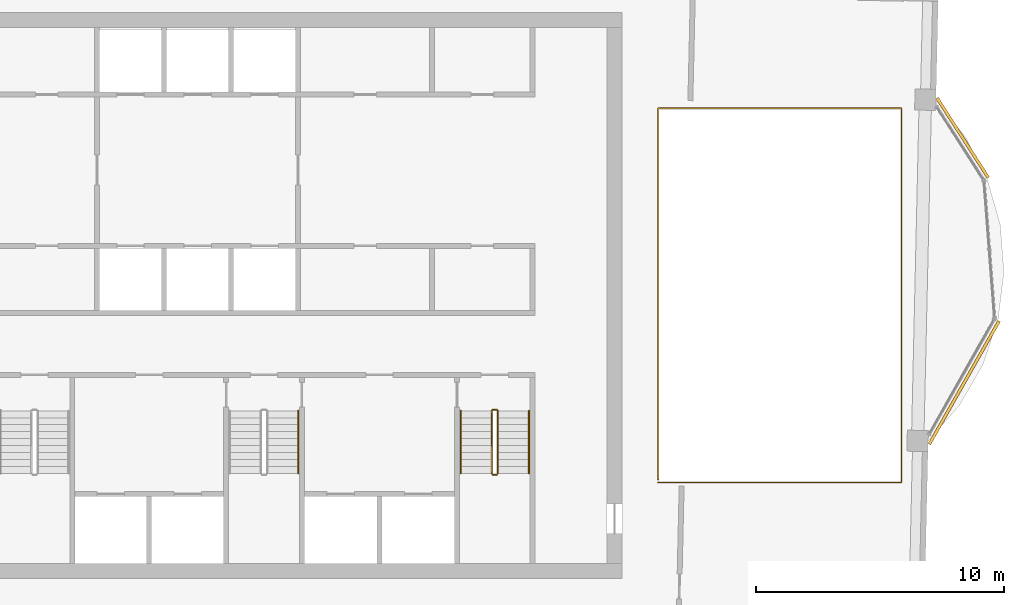
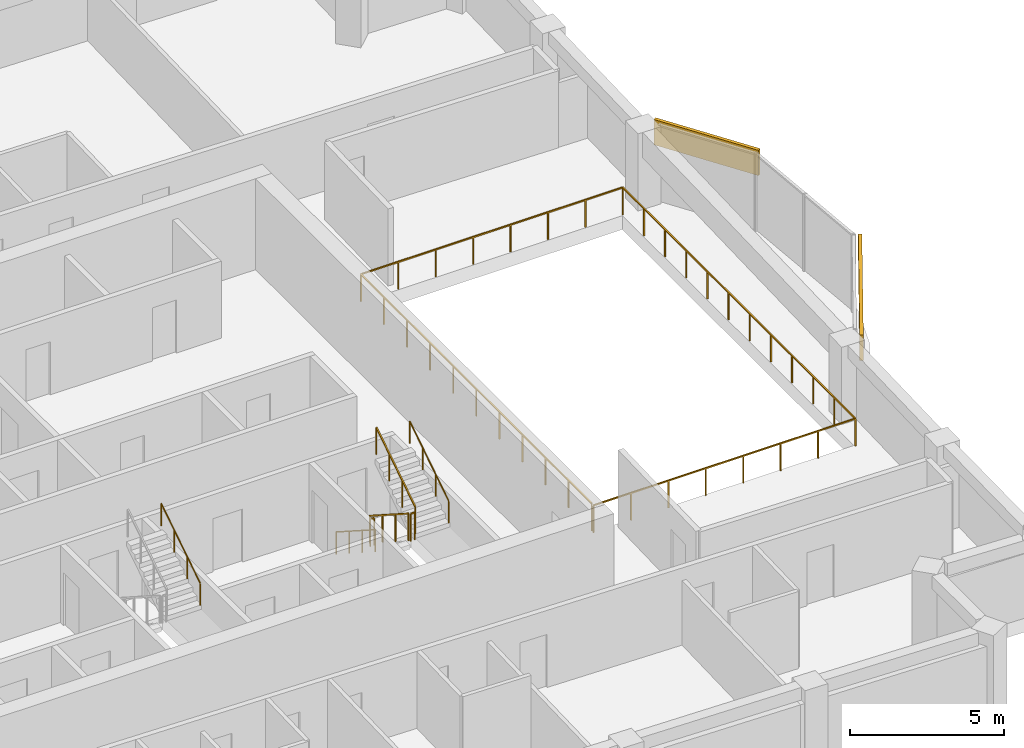
# One storey, part 11 of 11: 8 railings, 2 coverings.
"""IFC4 building model written with IfcOpenShell, lengths in metres."""

import ifcopenshell
import ifcopenshell.guid

model = None  # the IFC model being written
_history = None  # IfcOwnerHistory: only IFC2X3 demands one
_inside = {}  # id of a spatial element -> (the spatial element, [elements in it])
_under = {}  # id of a project, library or spatial element -> (it, [spatial elements below it])
_declared = {}  # id of a project -> (the project, [libraries it declares])
_typed = {}  # id of a type object -> (the type object, [elements of that type])
_made_of = {}  # id of a material, layer set ... -> (it, [elements and type objects made of it])


def new_model(schema):
    """Start an empty IFC model of exactly this schema.

    Asked for "IFC4X3", IfcOpenShell would pick the latest addendum, in which some entities
    have other attributes; the version numbers below select the first issue.
    IFC2X3 requires an IfcOwnerHistory on every rooted entity: one is made here for all.
    """
    global model, _history
    if schema == "IFC4X3":
        model = ifcopenshell.file(schema_version=(4, 3, 0, 0))
    else:
        model = ifcopenshell.file(schema=schema)
    _inside.clear()
    _under.clear()
    _declared.clear()
    _typed.clear()
    _made_of.clear()
    _history = None
    if model.schema == "IFC2X3":
        org = make("IfcOrganization", Name="unknown")
        user = make(
            "IfcPersonAndOrganization",
            ThePerson=make("IfcPerson", FamilyName="unknown"),
            TheOrganization=org,
        )
        app = make(
            "IfcApplication",
            ApplicationDeveloper=org,
            Version="unknown",
            ApplicationFullName="unknown",
            ApplicationIdentifier="unknown",
        )
        _history = make(
            "IfcOwnerHistory",
            OwningUser=user,
            OwningApplication=app,
            ChangeAction="ADDED",
            CreationDate=0,
        )
    return model


def make(cls, **values):
    """One entity of the class cls with the attributes given. An attribute that is None is left unset."""
    return model.create_entity(
        cls, **{name: value for name, value in values.items() if value is not None}
    )


def rooted(cls, **values):
    """An entity with a GlobalId (a new one), such as an element, a storey or a relation."""
    return make(cls, GlobalId=ifcopenshell.guid.new(), OwnerHistory=_history, **values)


def si_unit(unit_type, name, prefix=None):
    """IfcSIUnit, for example si_unit("LENGTHUNIT", "METRE", prefix="MILLI")."""
    return make("IfcSIUnit", UnitType=unit_type, Prefix=prefix, Name=name)


def assignment(units):
    """IfcUnitAssignment: the units of a project."""
    return None if units is None else make("IfcUnitAssignment", Units=units)


def point(xyz):
    """IfcCartesianPoint."""
    return None if xyz is None else make("IfcCartesianPoint", Coordinates=xyz)


def direction(xyz):
    """IfcDirection."""
    return None if xyz is None else make("IfcDirection", DirectionRatios=xyz)


def frame(location, z_axis=None, x_axis=None):
    """IfcAxis2Placement3D, a coordinate frame: its origin and axes. An axis left out is left unset."""
    return make(
        "IfcAxis2Placement3D",
        Location=point(location),
        Axis=direction(z_axis),
        RefDirection=direction(x_axis),
    )


def frame_2d(location, x_axis=None):
    """IfcAxis2Placement2D, a coordinate frame in the plane: its origin and x axis."""
    return make(
        "IfcAxis2Placement2D", Location=point(location), RefDirection=direction(x_axis)
    )


def origin():
    """The frame at (0, 0, 0) with its axes left unset."""
    return frame((0.0, 0.0, 0.0))


def origin_2d():
    """The frame at (0, 0) in the plane with its x axis left unset."""
    return frame_2d((0.0, 0.0))


def place(relative_to, where):
    """IfcLocalPlacement: puts the frame where relative to a parent placement (None: the world)."""
    return make(
        "IfcLocalPlacement", PlacementRelTo=relative_to, RelativePlacement=where
    )


def context(
    kind, dimensions, precision=None, world=None, true_north=None, identifier=None
):
    """IfcGeometricRepresentationContext, for example the 3D "Model" context."""
    return make(
        "IfcGeometricRepresentationContext",
        ContextIdentifier=identifier,
        ContextType=kind,
        CoordinateSpaceDimension=dimensions,
        Precision=precision,
        WorldCoordinateSystem=world,
        TrueNorth=true_north,
    )


def subcontext(parent, identifier, kind, view, scale=None):
    """IfcGeometricRepresentationSubContext, for example "Body" below "Model"."""
    return make(
        "IfcGeometricRepresentationSubContext",
        ContextIdentifier=identifier,
        ContextType=kind,
        ParentContext=parent,
        TargetScale=scale,
        TargetView=view,
    )


def project(units=None, contexts=None):
    """IfcProject with its units and contexts."""
    return rooted(
        "IfcProject",
        Name="project",
        RepresentationContexts=contexts,
        UnitsInContext=assignment(units),
    )


def spatial(cls, under=None, at=None, **own):
    """A site, building, storey or space (cls), placed at a placement, below another one or the project."""
    s = rooted(cls, ObjectPlacement=at, **own)
    if under is not None:
        _under.setdefault(under.id(), (under, []))[1].append(s)
    return s


def profile(cls, at=None, kind="AREA", **sizes):
    """A parametric profile (cls). Its sizes go by their IFC names, for example OverallWidth=200.0."""
    return make(cls, ProfileType=kind, Position=at, **sizes)


def rectangle(**sizes):
    """IfcRectangleProfileDef."""
    return profile("IfcRectangleProfileDef", **sizes)


def circle(**sizes):
    """IfcCircleProfileDef."""
    return profile("IfcCircleProfileDef", **sizes)


def extrude(swept, where, along, depth):
    """IfcExtrudedAreaSolid: the profile swept, set in the frame where, extruded along a direction by depth."""
    return make(
        "IfcExtrudedAreaSolid",
        SweptArea=swept,
        Position=where,
        ExtrudedDirection=direction(along),
        Depth=depth,
    )


def shape(context_of_items, identifier, shape_type, items):
    """IfcShapeRepresentation: the items that make up one representation, for example the "Body"."""
    return make(
        "IfcShapeRepresentation",
        ContextOfItems=context_of_items,
        RepresentationIdentifier=identifier,
        RepresentationType=shape_type,
        Items=items,
    )


def material(Name=None, Category=None):
    """IfcMaterial."""
    return make("IfcMaterial", Name=Name, Category=Category)


def layer(
    of_material, thickness, ventilated=None, Name=None, Category=None, Priority=None
):
    """IfcMaterialLayer: one layer of a wall or slab, of a material (None: an air gap)."""
    return make(
        "IfcMaterialLayer",
        Material=of_material,
        LayerThickness=thickness,
        IsVentilated=ventilated,
        Name=Name,
        Category=Category,
        Priority=Priority,
    )


def layer_set(layers, Name=None):
    """IfcMaterialLayerSet."""
    return make("IfcMaterialLayerSet", MaterialLayers=layers, LayerSetName=Name)


def made_of(thing, what):
    """Note that an element or type object is made of a material, layer set ...; save() writes the relation."""
    if what is not None:
        _made_of.setdefault(what.id(), (what, []))[1].append(thing)
    return thing


def type_object(cls, material=None, **own):
    """A type object (cls), such as IfcWallType, which elements share."""
    return made_of(rooted(cls, **own), material)


def element(
    cls,
    number,
    at=None,
    inside=None,
    cuts=None,
    type_object=None,
    material=None,
    context=None,
    identifier="Body",
    shape_type=None,
    held_by="IfcProductDefinitionShape",
    body=None,
    shapes=None,
    **own,
):
    """One element of the class cls, such as IfcWall. Its Tag is "e" and its number.

    at: its placement. inside: the storey or other place that contains it. cuts: it is an
    opening in that element (IfcRelVoidsElement). A single representation is given by context,
    identifier, shape_type and body (its items); several are given by shapes. held_by: the class
    of the entity that holds the representations. save() writes the other relations.
    """
    e = rooted(cls, Tag="e%d" % number, ObjectPlacement=at, **own)
    if body is not None:
        shapes = [shape(context, identifier, shape_type, body)]
    if shapes is not None:
        e.Representation = make(held_by, Representations=shapes)
    if inside is not None:
        _inside.setdefault(inside.id(), (inside, []))[1].append(e)
    if cuts is not None:
        rooted(
            "IfcRelVoidsElement", RelatingBuildingElement=cuts, RelatedOpeningElement=e
        )
    if type_object is not None:
        _typed.setdefault(type_object.id(), (type_object, []))[1].append(e)
    return made_of(e, material)


def aggregate(whole, parts):
    """IfcRelAggregates: a whole, such as a stair, and the parts it consists of."""
    return rooted("IfcRelAggregates", RelatingObject=whole, RelatedObjects=parts)


def save(model, path):
    """Write the relations noted so far, then the file.

    IfcRelAggregates (storeys below a building ...), IfcRelContainedInSpatialStructure (elements
    in a storey), IfcRelDefinesByType, IfcRelAssociatesMaterial and IfcRelDeclares: one each for
    every whole, place, type object, material and project.
    """
    for whole, parts in _under.values():
        aggregate(whole, parts)
    for where, things in _inside.values():
        rooted(
            "IfcRelContainedInSpatialStructure",
            RelatedElements=things,
            RelatingStructure=where,
        )
    for kind, things in _typed.values():
        rooted("IfcRelDefinesByType", RelatedObjects=things, RelatingType=kind)
    for what, things in _made_of.values():
        rooted("IfcRelAssociatesMaterial", RelatedObjects=things, RelatingMaterial=what)
    for by, libraries in _declared.values():
        rooted("IfcRelDeclares", RelatingContext=by, RelatedDefinitions=libraries)
    model.write(path)


model = new_model("IFC4")

# Units and contexts
model_context = context("Model", 3, precision=1e-05, world=origin(), true_north=direction((0.0, 1.0)))
body_context = subcontext(model_context, "Body", "Model", "MODEL_VIEW")
ifc_project = project(units=[si_unit("LENGTHUNIT", "METRE"), si_unit("AREAUNIT", "SQUARE_METRE"), si_unit("VOLUMEUNIT", "CUBIC_METRE"), si_unit("PLANEANGLEUNIT", "RADIAN"), si_unit("MASSUNIT", "GRAM", prefix="KILO")], contexts=[model_context])

# Site, building, storey
site_placement = place(None, origin())
site = spatial("IfcSite", under=ifc_project, at=site_placement, CompositionType="ELEMENT")
building_placement = place(site_placement, origin())
building = spatial("IfcBuilding", under=site, at=building_placement, Name="Mangrove Gate Tower", CompositionType="ELEMENT")
storey_placement = place(building_placement, frame((0.0, 0.0, 334.300048828125)))
storey = spatial("IfcBuildingStorey", under=building, at=storey_placement, Name="L85", CompositionType="ELEMENT", Elevation=334.300048828125)

# Railings
ifc_material_1 = material(Name="Stainless steel grade 316 with laminated glass infill", Category="steel")
railing_type_1 = type_object("IfcRailingType", Name="Balcony guard 1100", PredefinedType="GUARDRAIL", material=ifc_material_1)
railing_1_placement = place(storey_placement, frame((15.860107421875, -7.5400390625, 0.0)))
element("IfcRailing", 1, at=railing_1_placement, inside=storey, type_object=railing_type_1, Name="GUARD L85 atrium", PredefinedType="GUARDRAIL", context=body_context, shape_type="SweptSolid", body=[
    extrude(rectangle(XDim=0.048095703125, YDim=0.048095703125, at=origin_2d()), frame((0.0, 0.0, 1.076171875), z_axis=(1.0, 0.0, 0.0), x_axis=(0.0, 1.0, 0.0)), (0.0, 0.0, 1.0), 9.802978515625),
    extrude(rectangle(XDim=0.048095703125, YDim=0.048095703125, at=origin_2d()), frame((9.802978515625, 0.0, 1.076171875), z_axis=(0.0, 1.0, 0.0), x_axis=(-1.0, 0.0, 0.0)), (0.0, 0.0, 1.0), 15.080078125),
    extrude(rectangle(XDim=0.048095703125, YDim=0.048095703125, at=origin_2d()), frame((9.802978515625, 15.080078125, 1.076171875), z_axis=(-1.0, 0.0, 0.0), x_axis=(0.0, -1.0, 0.0)), (0.0, 0.0, 1.0), 9.802978515625),
    extrude(rectangle(XDim=0.048095703125, YDim=0.048095703125, at=origin_2d()), frame((0.0, 15.080078125, 1.076171875), z_axis=(0.0, -1.0, 0.0), x_axis=(1.0, 0.0, 0.0)), (0.0, 0.0, 1.0), 14.9599609375),
    extrude(rectangle(XDim=0.0419921875, YDim=0.0419921875, at=origin_2d()), origin(), (0.0, 0.0, 1.0), 1.052001953125),
    extrude(rectangle(XDim=0.0419921875, YDim=0.0419921875, at=origin_2d()), frame((1.400390625, 0.0, 0.0)), (0.0, 0.0, 1.0), 1.052001953125),
    extrude(rectangle(XDim=0.0419921875, YDim=0.0419921875, at=origin_2d()), frame((2.80078125, 0.0, 0.0)), (0.0, 0.0, 1.0), 1.052001953125),
    extrude(rectangle(XDim=0.0419921875, YDim=0.0419921875, at=origin_2d()), frame((4.201171875, 0.0, 0.0)), (0.0, 0.0, 1.0), 1.052001953125),
    extrude(rectangle(XDim=0.0419921875, YDim=0.0419921875, at=origin_2d()), frame((5.601806640625, 0.0, 0.0)), (0.0, 0.0, 1.0), 1.052001953125),
    extrude(rectangle(XDim=0.0419921875, YDim=0.0419921875, at=origin_2d()), frame((7.002197265625, 0.0, 0.0)), (0.0, 0.0, 1.0), 1.052001953125),
    extrude(rectangle(XDim=0.0419921875, YDim=0.0419921875, at=origin_2d()), frame((8.402587890625, 0.0, 0.0)), (0.0, 0.0, 1.0), 1.052001953125),
    extrude(rectangle(XDim=0.0419921875, YDim=0.0419921875, at=origin_2d()), frame((9.802978515625, 0.0, 0.0)), (0.0, 0.0, 1.0), 1.052001953125),
    extrude(rectangle(XDim=0.0419921875, YDim=0.0419921875, at=origin_2d()), frame((9.802978515625, 1.370849609375, 0.0)), (0.0, 0.0, 1.0), 1.052001953125),
    extrude(rectangle(XDim=0.0419921875, YDim=0.0419921875, at=origin_2d()), frame((9.802978515625, 2.741943359375, 0.0)), (0.0, 0.0, 1.0), 1.052001953125),
    extrude(rectangle(XDim=0.0419921875, YDim=0.0419921875, at=origin_2d()), frame((9.802978515625, 4.11279296875, 0.0)), (0.0, 0.0, 1.0), 1.052001953125),
    extrude(rectangle(XDim=0.0419921875, YDim=0.0419921875, at=origin_2d()), frame((9.802978515625, 5.483642578125, 0.0)), (0.0, 0.0, 1.0), 1.052001953125),
    extrude(rectangle(XDim=0.0419921875, YDim=0.0419921875, at=origin_2d()), frame((9.802978515625, 6.8544921875, 0.0)), (0.0, 0.0, 1.0), 1.052001953125),
    extrude(rectangle(XDim=0.0419921875, YDim=0.0419921875, at=origin_2d()), frame((9.802978515625, 8.2255859375, 0.0)), (0.0, 0.0, 1.0), 1.052001953125),
    extrude(rectangle(XDim=0.0419921875, YDim=0.0419921875, at=origin_2d()), frame((9.802978515625, 9.596435546875, 0.0)), (0.0, 0.0, 1.0), 1.052001953125),
    extrude(rectangle(XDim=0.0419921875, YDim=0.0419921875, at=origin_2d()), frame((9.802978515625, 10.96728515625, 0.0)), (0.0, 0.0, 1.0), 1.052001953125),
    extrude(rectangle(XDim=0.0419921875, YDim=0.0419921875, at=origin_2d()), frame((9.802978515625, 12.338134765625, 0.0)), (0.0, 0.0, 1.0), 1.052001953125),
    extrude(rectangle(XDim=0.0419921875, YDim=0.0419921875, at=origin_2d()), frame((9.802978515625, 13.709228515625, 0.0)), (0.0, 0.0, 1.0), 1.052001953125),
    extrude(rectangle(XDim=0.0419921875, YDim=0.0419921875, at=origin_2d()), frame((9.802978515625, 15.080078125, 0.0)), (0.0, 0.0, 1.0), 1.052001953125),
    extrude(rectangle(XDim=0.0419921875, YDim=0.0419921875, at=origin_2d()), frame((8.402587890625, 15.080078125, 0.0)), (0.0, 0.0, 1.0), 1.052001953125),
    extrude(rectangle(XDim=0.0419921875, YDim=0.0419921875, at=origin_2d()), frame((7.002197265625, 15.080078125, 0.0)), (0.0, 0.0, 1.0), 1.052001953125),
    extrude(rectangle(XDim=0.0419921875, YDim=0.0419921875, at=origin_2d()), frame((5.601806640625, 15.080078125, 0.0)), (0.0, 0.0, 1.0), 1.052001953125),
    extrude(rectangle(XDim=0.0419921875, YDim=0.0419921875, at=origin_2d()), frame((4.201171875, 15.080078125, 0.0)), (0.0, 0.0, 1.0), 1.052001953125),
    extrude(rectangle(XDim=0.0419921875, YDim=0.0419921875, at=origin_2d()), frame((2.80078125, 15.080078125, 0.0)), (0.0, 0.0, 1.0), 1.052001953125),
    extrude(rectangle(XDim=0.0419921875, YDim=0.0419921875, at=origin_2d()), frame((1.400390625, 15.080078125, 0.0)), (0.0, 0.0, 1.0), 1.052001953125),
    extrude(rectangle(XDim=0.0419921875, YDim=0.0419921875, at=origin_2d()), frame((0.0, 15.080078125, 0.0)), (0.0, 0.0, 1.0), 1.052001953125),
    extrude(rectangle(XDim=0.0419921875, YDim=0.0419921875, at=origin_2d()), frame((0.0, 13.583984375, 0.0)), (0.0, 0.0, 1.0), 1.052001953125),
    extrude(rectangle(XDim=0.0419921875, YDim=0.0419921875, at=origin_2d()), frame((0.0, 12.088134765625, 0.0)), (0.0, 0.0, 1.0), 1.052001953125),
    extrude(rectangle(XDim=0.0419921875, YDim=0.0419921875, at=origin_2d()), frame((0.0, 10.592041015625, 0.0)), (0.0, 0.0, 1.0), 1.052001953125),
    extrude(rectangle(XDim=0.0419921875, YDim=0.0419921875, at=origin_2d()), frame((0.0, 9.09619140625, 0.0)), (0.0, 0.0, 1.0), 1.052001953125),
    extrude(rectangle(XDim=0.0419921875, YDim=0.0419921875, at=origin_2d()), frame((0.0, 7.60009765625, 0.0)), (0.0, 0.0, 1.0), 1.052001953125),
    extrude(rectangle(XDim=0.0419921875, YDim=0.0419921875, at=origin_2d()), frame((0.0, 6.10400390625, 0.0)), (0.0, 0.0, 1.0), 1.052001953125),
    extrude(rectangle(XDim=0.0419921875, YDim=0.0419921875, at=origin_2d()), frame((0.0, 4.608154296875, 0.0)), (0.0, 0.0, 1.0), 1.052001953125),
    extrude(rectangle(XDim=0.0419921875, YDim=0.0419921875, at=origin_2d()), frame((0.0, 3.112060546875, 0.0)), (0.0, 0.0, 1.0), 1.052001953125),
    extrude(rectangle(XDim=0.0419921875, YDim=0.0419921875, at=origin_2d()), frame((0.0, 1.6162109375, 0.0)), (0.0, 0.0, 1.0), 1.052001953125),
    extrude(rectangle(XDim=0.0419921875, YDim=0.0419921875, at=origin_2d()), frame((0.0, 0.1201171875, 0.0)), (0.0, 0.0, 1.0), 1.052001953125),
])
ifc_material_2 = material(Name="Stainless steel 316", Category="steel")
railing_type_2 = type_object("IfcRailingType", Name="Core stair guard 1100", PredefinedType="GUARDRAIL", material=ifc_material_2)
railing_2_placement = place(storey_placement, frame((9.14990234375, -4.64990234375, 0.179931640625)))
element("IfcRailing", 2, at=railing_2_placement, inside=storey, type_object=railing_type_2, Name="L85 ST3 stair guard 1", PredefinedType="GUARDRAIL", context=body_context, shape_type="SweptSolid", body=[
    extrude(rectangle(XDim=0.048095703125, YDim=0.048095703125, at=origin_2d()), frame((0.0, 0.0, 1.076171875), z_axis=(0.0, -0.841162588446, 0.540782303519), x_axis=(1.0, 0.0, 0.0)), (0.0, 0.0, 1.0), 2.995849609375),
    extrude(rectangle(XDim=0.0419921875, YDim=0.0419921875, at=origin_2d()), origin(), (0.0, 0.0, 1.0), 1.052001953125),
    extrude(rectangle(XDim=0.0419921875, YDim=0.0419921875, at=origin_2d()), frame((0.0, -0.840087890625, 0.5400390625)), (0.0, 0.0, 1.0), 1.052001953125),
    extrude(rectangle(XDim=0.0419921875, YDim=0.0419921875, at=origin_2d()), frame((0.0, -1.679931640625, 1.080078125)), (0.0, 0.0, 1.0), 1.052001953125),
    extrude(rectangle(XDim=0.0419921875, YDim=0.0419921875, at=origin_2d()), frame((0.0, -2.52001953125, 1.6201171875)), (0.0, 0.0, 1.0), 1.052001953125),
])
railing_3_placement = place(storey_placement, frame((9.199951171875, -7.219970703125, 1.800048828125)))
element("IfcRailing", 3, at=railing_3_placement, inside=storey, type_object=railing_type_2, Name="L85 ST3 stair guard 2", PredefinedType="GUARDRAIL", context=body_context, shape_type="SweptSolid", body=[
    extrude(rectangle(XDim=0.048095703125, YDim=0.048095703125, at=origin_2d()), frame((0.0, 0.0, 1.076171875), z_axis=(1.0, 0.0, 0.0), x_axis=(0.0, 1.0, 0.0)), (0.0, 0.0, 1.0), 0.150146484375),
    extrude(rectangle(XDim=0.0419921875, YDim=0.0419921875, at=origin_2d()), origin(), (0.0, 0.0, 1.0), 1.052001953125),
    extrude(rectangle(XDim=0.0419921875, YDim=0.0419921875, at=origin_2d()), frame((0.150146484375, 0.0, 0.0)), (0.0, 0.0, 1.0), 1.052001953125),
])
railing_4_placement = place(storey_placement, frame((9.39990234375, -7.169921875, 1.97998046875)))
element("IfcRailing", 4, at=railing_4_placement, inside=storey, type_object=railing_type_2, Name="L85 ST3 stair guard 3", PredefinedType="GUARDRAIL", context=body_context, shape_type="SweptSolid", body=[
    extrude(rectangle(XDim=0.048095703125, YDim=0.048095703125, at=origin_2d()), frame((0.0, 0.0, 1.076171875), z_axis=(0.0, 0.841199657755, 0.540724639528), x_axis=(-1.0, 0.0, 0.0)), (0.0, 0.0, 1.0), 2.995849609375),
    extrude(rectangle(XDim=0.0419921875, YDim=0.0419921875, at=origin_2d()), origin(), (0.0, 0.0, 1.0), 1.052001953125),
    extrude(rectangle(XDim=0.0419921875, YDim=0.0419921875, at=origin_2d()), frame((0.0, 0.840087890625, 0.5400390625)), (0.0, 0.0, 1.0), 1.052001953125),
    extrude(rectangle(XDim=0.0419921875, YDim=0.0419921875, at=origin_2d()), frame((0.0, 1.679931640625, 1.079833984375)), (0.0, 0.0, 1.0), 1.052001953125),
    extrude(rectangle(XDim=0.0419921875, YDim=0.0419921875, at=origin_2d()), frame((0.0, 2.52001953125, 1.619873046875)), (0.0, 0.0, 1.0), 1.052001953125),
])
railing_5_placement = place(storey_placement, frame((9.199951171875, -4.60009765625, 0.0)))
element("IfcRailing", 5, at=railing_5_placement, inside=storey, type_object=railing_type_2, Name="L85 ST3 stair guard 4", PredefinedType="GUARDRAIL", context=body_context, shape_type="SweptSolid", body=[
    extrude(rectangle(XDim=0.048095703125, YDim=0.048095703125, at=origin_2d()), frame((0.0, 0.0, 1.076171875), z_axis=(1.0, 0.0, 0.0), x_axis=(0.0, 1.0, 0.0)), (0.0, 0.0, 1.0), 0.150146484375),
    extrude(rectangle(XDim=0.0419921875, YDim=0.0419921875, at=origin_2d()), origin(), (0.0, 0.0, 1.0), 1.052001953125),
    extrude(rectangle(XDim=0.0419921875, YDim=0.0419921875, at=origin_2d()), frame((0.150146484375, 0.0, 0.0)), (0.0, 0.0, 1.0), 1.052001953125),
])
ifc_material_3 = material(Name="Stainless steel 316", Category="steel")
railing_type_3 = type_object("IfcRailingType", Name="Core stair handrail 900", PredefinedType="HANDRAIL", material=ifc_material_3)
railing_6_placement = place(storey_placement, frame((1.35009765625, -7.169921875, 1.97998046875)))
element("IfcRailing", 6, at=railing_6_placement, inside=storey, type_object=railing_type_3, Name="L85 ST2 stair handrail 2", PredefinedType="HANDRAIL", context=body_context, shape_type="SweptSolid", body=[
    extrude(circle(Radius=0.02392578125, at=origin_2d()), frame((0.0, 0.0, 0.8759765625), z_axis=(0.0, 0.841199657755, 0.540724639528), x_axis=(-1.0, 0.0, 0.0)), (0.0, 0.0, 1.0), 2.995849609375),
    extrude(circle(Radius=0.02099609375, at=origin_2d()), origin(), (0.0, 0.0, 1.0), 0.851806640625),
    extrude(circle(Radius=0.02099609375, at=origin_2d()), frame((0.0, 0.840087890625, 0.5400390625)), (0.0, 0.0, 1.0), 0.851806640625),
    extrude(circle(Radius=0.02099609375, at=origin_2d()), frame((0.0, 1.679931640625, 1.079833984375)), (0.0, 0.0, 1.0), 0.851806640625),
    extrude(circle(Radius=0.02099609375, at=origin_2d()), frame((0.0, 2.52001953125, 1.619873046875)), (0.0, 0.0, 1.0), 0.851806640625),
])
railing_7_placement = place(storey_placement, frame((7.89990234375, -4.64990234375, 0.179931640625)))
element("IfcRailing", 7, at=railing_7_placement, inside=storey, type_object=railing_type_3, Name="L85 ST3 stair handrail 1", PredefinedType="HANDRAIL", context=body_context, shape_type="SweptSolid", body=[
    extrude(circle(Radius=0.02392578125, at=origin_2d()), frame((0.0, 0.0, 0.8759765625), z_axis=(0.0, -0.841162588446, 0.540782303519), x_axis=(1.0, 0.0, 0.0)), (0.0, 0.0, 1.0), 2.995849609375),
    extrude(circle(Radius=0.02099609375, at=origin_2d()), origin(), (0.0, 0.0, 1.0), 0.851806640625),
    extrude(circle(Radius=0.02099609375, at=origin_2d()), frame((0.0, -0.840087890625, 0.5400390625)), (0.0, 0.0, 1.0), 0.851806640625),
    extrude(circle(Radius=0.02099609375, at=origin_2d()), frame((0.0, -1.679931640625, 1.080078125)), (0.0, 0.0, 1.0), 0.851806640625),
    extrude(circle(Radius=0.02099609375, at=origin_2d()), frame((0.0, -2.52001953125, 1.6201171875)), (0.0, 0.0, 1.0), 0.851806640625),
])
railing_8_placement = place(storey_placement, frame((10.64990234375, -7.169921875, 1.97998046875)))
element("IfcRailing", 8, at=railing_8_placement, inside=storey, type_object=railing_type_3, Name="L85 ST3 stair handrail 2", PredefinedType="HANDRAIL", context=body_context, shape_type="SweptSolid", body=[
    extrude(circle(Radius=0.02392578125, at=origin_2d()), frame((0.0, 0.0, 0.8759765625), z_axis=(0.0, 0.841199657755, 0.540724639528), x_axis=(-1.0, 0.0, 0.0)), (0.0, 0.0, 1.0), 2.995849609375),
    extrude(circle(Radius=0.02099609375, at=origin_2d()), origin(), (0.0, 0.0, 1.0), 0.851806640625),
    extrude(circle(Radius=0.02099609375, at=origin_2d()), frame((0.0, 0.840087890625, 0.5400390625)), (0.0, 0.0, 1.0), 0.851806640625),
    extrude(circle(Radius=0.02099609375, at=origin_2d()), frame((0.0, 1.679931640625, 1.079833984375)), (0.0, 0.0, 1.0), 0.851806640625),
    extrude(circle(Radius=0.02099609375, at=origin_2d()), frame((0.0, 2.52001953125, 1.619873046875)), (0.0, 0.0, 1.0), 0.851806640625),
])

# Coverings
ifc_material_4 = material(Name="Limestone", Category="masonry")
ifc_layer_1 = layer(ifc_material_4, 0.0400390625, Name="Limestone cladding")
ifc_material_5 = material(Name="Stainless steel anchors and cavity", Category="steel")
ifc_layer_2 = layer(ifc_material_5, 0.080078125, Name="Fixing cavity")
ifc_layer_set = layer_set([ifc_layer_1, ifc_layer_2], Name="Joint fascia cladding 120")
covering_type = type_object("IfcCoveringType", Name="Joint fascia cladding 120", PredefinedType="CLADDING", material=ifc_layer_set)
covering_1_placement = place(storey_placement, frame((26.78369140625, -5.9951171875, 2.050048828125), z_axis=(0.0, 0.0, 1.0), x_axis=(0.492655095175, 0.870224659038, 0.0)))
element("IfcCovering", 9, at=covering_1_placement, inside=storey, type_object=covering_type, Name="STONE FASCIA L85 E1.L1", PredefinedType="CLADDING", context=body_context, shape_type="SweptSolid", body=[
    extrude(rectangle(XDim=5.704345703125, YDim=0.1201171875, at=frame_2d((2.85205078125, 0.0))), origin(), (0.0, 0.0, 1.0), 1.0),
])
covering_2_placement = place(storey_placement, frame((29.158935546875, 4.742919921875, 2.050048828125), z_axis=(0.0, 0.0, 1.0), x_axis=(-0.540573367362, 0.841296876554, 0.0)))
element("IfcCovering", 10, at=covering_2_placement, inside=storey, type_object=covering_type, Name="STONE FASCIA L85 E1.L2", PredefinedType="CLADDING", context=body_context, shape_type="SweptSolid", body=[
    extrude(rectangle(XDim=3.818115234375, YDim=0.1201171875, at=frame_2d((1.9091796875, 0.0))), origin(), (0.0, 0.0, 1.0), 1.0),
])

save(model, "model.ifc")
